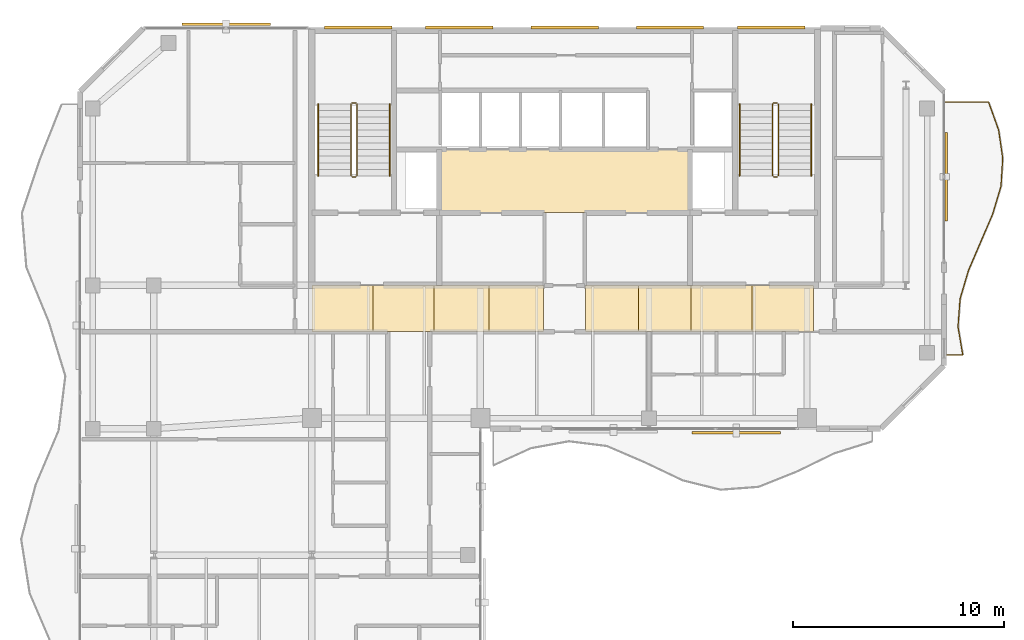
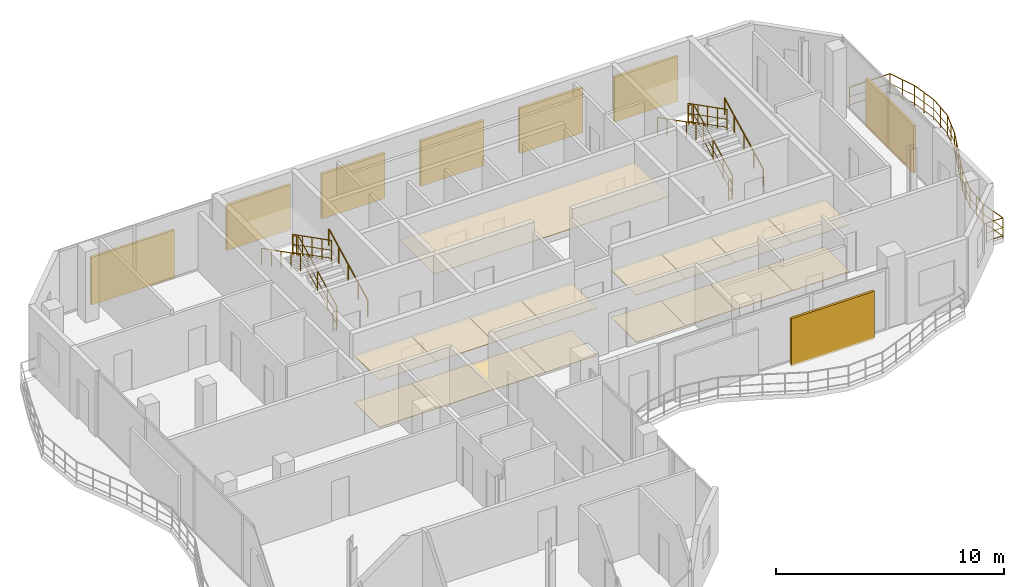
# One storey, part 22 of 22: 17 coverings, 13 railings, 8 shading devices.
"""IFC4 building model written with IfcOpenShell, lengths in metres."""

import ifcopenshell
import ifcopenshell.guid

model = None  # the IFC model being written
_history = None  # IfcOwnerHistory: only IFC2X3 demands one
_inside = {}  # id of a spatial element -> (the spatial element, [elements in it])
_under = {}  # id of a project, library or spatial element -> (it, [spatial elements below it])
_declared = {}  # id of a project -> (the project, [libraries it declares])
_typed = {}  # id of a type object -> (the type object, [elements of that type])
_made_of = {}  # id of a material, layer set ... -> (it, [elements and type objects made of it])


def new_model(schema):
    """Start an empty IFC model of exactly this schema.

    Asked for "IFC4X3", IfcOpenShell would pick the latest addendum, in which some entities
    have other attributes; the version numbers below select the first issue.
    IFC2X3 requires an IfcOwnerHistory on every rooted entity: one is made here for all.
    """
    global model, _history
    if schema == "IFC4X3":
        model = ifcopenshell.file(schema_version=(4, 3, 0, 0))
    else:
        model = ifcopenshell.file(schema=schema)
    _inside.clear()
    _under.clear()
    _declared.clear()
    _typed.clear()
    _made_of.clear()
    _history = None
    if model.schema == "IFC2X3":
        org = make("IfcOrganization", Name="unknown")
        user = make(
            "IfcPersonAndOrganization",
            ThePerson=make("IfcPerson", FamilyName="unknown"),
            TheOrganization=org,
        )
        app = make(
            "IfcApplication",
            ApplicationDeveloper=org,
            Version="unknown",
            ApplicationFullName="unknown",
            ApplicationIdentifier="unknown",
        )
        _history = make(
            "IfcOwnerHistory",
            OwningUser=user,
            OwningApplication=app,
            ChangeAction="ADDED",
            CreationDate=0,
        )
    return model


def make(cls, **values):
    """One entity of the class cls with the attributes given. An attribute that is None is left unset."""
    return model.create_entity(
        cls, **{name: value for name, value in values.items() if value is not None}
    )


def rooted(cls, **values):
    """An entity with a GlobalId (a new one), such as an element, a storey or a relation."""
    return make(cls, GlobalId=ifcopenshell.guid.new(), OwnerHistory=_history, **values)


def si_unit(unit_type, name, prefix=None):
    """IfcSIUnit, for example si_unit("LENGTHUNIT", "METRE", prefix="MILLI")."""
    return make("IfcSIUnit", UnitType=unit_type, Prefix=prefix, Name=name)


def assignment(units):
    """IfcUnitAssignment: the units of a project."""
    return None if units is None else make("IfcUnitAssignment", Units=units)


def point(xyz):
    """IfcCartesianPoint."""
    return None if xyz is None else make("IfcCartesianPoint", Coordinates=xyz)


def direction(xyz):
    """IfcDirection."""
    return None if xyz is None else make("IfcDirection", DirectionRatios=xyz)


def frame(location, z_axis=None, x_axis=None):
    """IfcAxis2Placement3D, a coordinate frame: its origin and axes. An axis left out is left unset."""
    return make(
        "IfcAxis2Placement3D",
        Location=point(location),
        Axis=direction(z_axis),
        RefDirection=direction(x_axis),
    )


def frame_2d(location, x_axis=None):
    """IfcAxis2Placement2D, a coordinate frame in the plane: its origin and x axis."""
    return make(
        "IfcAxis2Placement2D", Location=point(location), RefDirection=direction(x_axis)
    )


def origin():
    """The frame at (0, 0, 0) with its axes left unset."""
    return frame((0.0, 0.0, 0.0))


def origin_2d():
    """The frame at (0, 0) in the plane with its x axis left unset."""
    return frame_2d((0.0, 0.0))


def place(relative_to, where):
    """IfcLocalPlacement: puts the frame where relative to a parent placement (None: the world)."""
    return make(
        "IfcLocalPlacement", PlacementRelTo=relative_to, RelativePlacement=where
    )


def context(
    kind, dimensions, precision=None, world=None, true_north=None, identifier=None
):
    """IfcGeometricRepresentationContext, for example the 3D "Model" context."""
    return make(
        "IfcGeometricRepresentationContext",
        ContextIdentifier=identifier,
        ContextType=kind,
        CoordinateSpaceDimension=dimensions,
        Precision=precision,
        WorldCoordinateSystem=world,
        TrueNorth=true_north,
    )


def subcontext(parent, identifier, kind, view, scale=None):
    """IfcGeometricRepresentationSubContext, for example "Body" below "Model"."""
    return make(
        "IfcGeometricRepresentationSubContext",
        ContextIdentifier=identifier,
        ContextType=kind,
        ParentContext=parent,
        TargetScale=scale,
        TargetView=view,
    )


def project(units=None, contexts=None):
    """IfcProject with its units and contexts."""
    return rooted(
        "IfcProject",
        Name="project",
        RepresentationContexts=contexts,
        UnitsInContext=assignment(units),
    )


def spatial(cls, under=None, at=None, **own):
    """A site, building, storey or space (cls), placed at a placement, below another one or the project."""
    s = rooted(cls, ObjectPlacement=at, **own)
    if under is not None:
        _under.setdefault(under.id(), (under, []))[1].append(s)
    return s


def polyline(points):
    """IfcPolyline through the points."""
    return make("IfcPolyline", Points=[point(p) for p in points])


def profile(cls, at=None, kind="AREA", **sizes):
    """A parametric profile (cls). Its sizes go by their IFC names, for example OverallWidth=200.0."""
    return make(cls, ProfileType=kind, Position=at, **sizes)


def rectangle(**sizes):
    """IfcRectangleProfileDef."""
    return profile("IfcRectangleProfileDef", **sizes)


def circle(**sizes):
    """IfcCircleProfileDef."""
    return profile("IfcCircleProfileDef", **sizes)


def outline(outer, holes=None, kind="AREA"):
    """IfcArbitraryClosedProfileDef: a profile drawn as a closed curve; with holes, ...WithVoids."""
    if holes is None:
        return make("IfcArbitraryClosedProfileDef", ProfileType=kind, OuterCurve=outer)
    return make(
        "IfcArbitraryProfileDefWithVoids",
        ProfileType=kind,
        OuterCurve=outer,
        InnerCurves=holes,
    )


def extrude(swept, where, along, depth):
    """IfcExtrudedAreaSolid: the profile swept, set in the frame where, extruded along a direction by depth."""
    return make(
        "IfcExtrudedAreaSolid",
        SweptArea=swept,
        Position=where,
        ExtrudedDirection=direction(along),
        Depth=depth,
    )


def shape(context_of_items, identifier, shape_type, items):
    """IfcShapeRepresentation: the items that make up one representation, for example the "Body"."""
    return make(
        "IfcShapeRepresentation",
        ContextOfItems=context_of_items,
        RepresentationIdentifier=identifier,
        RepresentationType=shape_type,
        Items=items,
    )


def material(Name=None, Category=None):
    """IfcMaterial."""
    return make("IfcMaterial", Name=Name, Category=Category)


def layer(
    of_material, thickness, ventilated=None, Name=None, Category=None, Priority=None
):
    """IfcMaterialLayer: one layer of a wall or slab, of a material (None: an air gap)."""
    return make(
        "IfcMaterialLayer",
        Material=of_material,
        LayerThickness=thickness,
        IsVentilated=ventilated,
        Name=Name,
        Category=Category,
        Priority=Priority,
    )


def layer_set(layers, Name=None):
    """IfcMaterialLayerSet."""
    return make("IfcMaterialLayerSet", MaterialLayers=layers, LayerSetName=Name)


def made_of(thing, what):
    """Note that an element or type object is made of a material, layer set ...; save() writes the relation."""
    if what is not None:
        _made_of.setdefault(what.id(), (what, []))[1].append(thing)
    return thing


def type_object(cls, material=None, **own):
    """A type object (cls), such as IfcWallType, which elements share."""
    return made_of(rooted(cls, **own), material)


def element(
    cls,
    number,
    at=None,
    inside=None,
    cuts=None,
    type_object=None,
    material=None,
    context=None,
    identifier="Body",
    shape_type=None,
    held_by="IfcProductDefinitionShape",
    body=None,
    shapes=None,
    **own,
):
    """One element of the class cls, such as IfcWall. Its Tag is "e" and its number.

    at: its placement. inside: the storey or other place that contains it. cuts: it is an
    opening in that element (IfcRelVoidsElement). A single representation is given by context,
    identifier, shape_type and body (its items); several are given by shapes. held_by: the class
    of the entity that holds the representations. save() writes the other relations.
    """
    e = rooted(cls, Tag="e%d" % number, ObjectPlacement=at, **own)
    if body is not None:
        shapes = [shape(context, identifier, shape_type, body)]
    if shapes is not None:
        e.Representation = make(held_by, Representations=shapes)
    if inside is not None:
        _inside.setdefault(inside.id(), (inside, []))[1].append(e)
    if cuts is not None:
        rooted(
            "IfcRelVoidsElement", RelatingBuildingElement=cuts, RelatedOpeningElement=e
        )
    if type_object is not None:
        _typed.setdefault(type_object.id(), (type_object, []))[1].append(e)
    return made_of(e, material)


def aggregate(whole, parts):
    """IfcRelAggregates: a whole, such as a stair, and the parts it consists of."""
    return rooted("IfcRelAggregates", RelatingObject=whole, RelatedObjects=parts)


def save(model, path):
    """Write the relations noted so far, then the file.

    IfcRelAggregates (storeys below a building ...), IfcRelContainedInSpatialStructure (elements
    in a storey), IfcRelDefinesByType, IfcRelAssociatesMaterial and IfcRelDeclares: one each for
    every whole, place, type object, material and project.
    """
    for whole, parts in _under.values():
        aggregate(whole, parts)
    for where, things in _inside.values():
        rooted(
            "IfcRelContainedInSpatialStructure",
            RelatedElements=things,
            RelatingStructure=where,
        )
    for kind, things in _typed.values():
        rooted("IfcRelDefinesByType", RelatedObjects=things, RelatingType=kind)
    for what, things in _made_of.values():
        rooted("IfcRelAssociatesMaterial", RelatedObjects=things, RelatingMaterial=what)
    for by, libraries in _declared.values():
        rooted("IfcRelDeclares", RelatingContext=by, RelatedDefinitions=libraries)
    model.write(path)


model = new_model("IFC4")

# Units and contexts
model_context = context("Model", 3, precision=1e-05, world=origin(), true_north=direction((0.0, 1.0)))
body_context = subcontext(model_context, "Body", "Model", "MODEL_VIEW")
ifc_project = project(units=[si_unit("LENGTHUNIT", "METRE"), si_unit("AREAUNIT", "SQUARE_METRE"), si_unit("VOLUMEUNIT", "CUBIC_METRE"), si_unit("PLANEANGLEUNIT", "RADIAN"), si_unit("MASSUNIT", "GRAM", prefix="KILO")], contexts=[model_context])

# Site, building, storey
site_placement = place(None, origin())
site = spatial("IfcSite", under=ifc_project, at=site_placement, CompositionType="ELEMENT")
building_placement = place(site_placement, origin())
building = spatial("IfcBuilding", under=site, at=building_placement, Name="Catumbela Crestline Tower", CompositionType="ELEMENT")
storey_placement = place(building_placement, frame((0.0, 0.0, 256.4)))
storey = spatial("IfcBuildingStorey", under=building, at=storey_placement, Name="L66", CompositionType="ELEMENT", Elevation=256.4)

# Coverings
ifc_material_1 = material(Name="Mineral-fibre acoustic ceiling")
ifc_layer_1 = layer(ifc_material_1, 0.03, Name="Mineral-fibre acoustic ceiling")
ifc_layer_set_1 = layer_set([ifc_layer_1], Name="Mineral-fibre acoustic ceiling")
covering_type_1 = type_object("IfcCoveringType", Name="CC-AC", PredefinedType="CEILING", material=ifc_layer_set_1)
covering_1_placement = place(storey_placement, frame((0.0, 0.0, 2.65)))
element("IfcCovering", 1, at=covering_1_placement, inside=storey, type_object=covering_type_1, Name="L66 Lift Lobby Acoustic Ceiling", PredefinedType="CEILING", context=body_context, shape_type="SweptSolid", body=[
    extrude(outline(polyline([(22.05, 34.25), (33.95, 34.25), (33.95, 37.25), (22.05, 37.25), (22.05, 34.25)])), origin(), (0.0, 0.0, 1.0), 0.03),
])
covering_2_placement = place(storey_placement, frame((0.0, 0.0, 2.52)))
element("IfcCovering", 2, at=covering_2_placement, inside=storey, type_object=covering_type_1, Name="L66 Corridor Acoustic Ceiling Bay 1", PredefinedType="CEILING", context=body_context, shape_type="SweptSolid", body=[
    extrude(outline(polyline([(16.0, 28.6), (18.9, 28.6), (18.9, 30.8), (16.0, 30.8), (16.0, 28.6)])), origin(), (0.0, 0.0, 1.0), 0.03),
])
covering_3_placement = place(storey_placement, frame((0.0, 0.0, 2.52)))
element("IfcCovering", 3, at=covering_3_placement, inside=storey, type_object=covering_type_1, Name="L66 Corridor Acoustic Ceiling Bay 2", PredefinedType="CEILING", context=body_context, shape_type="SweptSolid", body=[
    extrude(outline(polyline([(18.9, 28.6), (21.8, 28.6), (21.8, 30.8), (18.9, 30.8), (18.9, 28.6)])), origin(), (0.0, 0.0, 1.0), 0.03),
])
covering_4_placement = place(storey_placement, frame((0.0, 0.0, 2.52)))
element("IfcCovering", 4, at=covering_4_placement, inside=storey, type_object=covering_type_1, Name="L66 Corridor Acoustic Ceiling Bay 3", PredefinedType="CEILING", context=body_context, shape_type="SweptSolid", body=[
    extrude(outline(polyline([(21.8, 28.6), (24.4, 28.6), (24.4, 30.8), (21.8, 30.8), (21.8, 28.6)])), origin(), (0.0, 0.0, 1.0), 0.03),
])
covering_5_placement = place(storey_placement, frame((0.0, 0.0, 2.52)))
element("IfcCovering", 5, at=covering_5_placement, inside=storey, type_object=covering_type_1, Name="L66 Corridor Acoustic Ceiling Bay 4", PredefinedType="CEILING", context=body_context, shape_type="SweptSolid", body=[
    extrude(outline(polyline([(24.4, 28.6), (27.0, 28.6), (27.0, 30.8), (24.4, 30.8), (24.4, 28.6)])), origin(), (0.0, 0.0, 1.0), 0.03),
])
covering_6_placement = place(storey_placement, frame((0.0, 0.0, 2.52)))
element("IfcCovering", 6, at=covering_6_placement, inside=storey, type_object=covering_type_1, Name="L66 Corridor Acoustic Ceiling Bay 5", PredefinedType="CEILING", context=body_context, shape_type="SweptSolid", body=[
    extrude(outline(polyline([(29.0, 28.6), (31.5, 28.6), (31.5, 30.8), (29.0, 30.8), (29.0, 28.6)])), origin(), (0.0, 0.0, 1.0), 0.03),
])
covering_7_placement = place(storey_placement, frame((0.0, 0.0, 2.52)))
element("IfcCovering", 7, at=covering_7_placement, inside=storey, type_object=covering_type_1, Name="L66 Corridor Acoustic Ceiling Bay 6", PredefinedType="CEILING", context=body_context, shape_type="SweptSolid", body=[
    extrude(outline(polyline([(31.5, 28.6), (34.0, 28.6), (34.0, 30.8), (31.5, 30.8), (31.5, 28.6)])), origin(), (0.0, 0.0, 1.0), 0.03),
])
covering_8_placement = place(storey_placement, frame((0.0, 0.0, 2.52)))
element("IfcCovering", 8, at=covering_8_placement, inside=storey, type_object=covering_type_1, Name="L66 Corridor Acoustic Ceiling Bay 7", PredefinedType="CEILING", context=body_context, shape_type="SweptSolid", body=[
    extrude(outline(polyline([(34.0, 28.6), (36.9, 28.6), (36.9, 30.8), (34.0, 30.8), (34.0, 28.6)])), origin(), (0.0, 0.0, 1.0), 0.03),
])
covering_9_placement = place(storey_placement, frame((0.0, 0.0, 2.52)))
element("IfcCovering", 9, at=covering_9_placement, inside=storey, type_object=covering_type_1, Name="L66 Corridor Acoustic Ceiling Bay 8", PredefinedType="CEILING", context=body_context, shape_type="SweptSolid", body=[
    extrude(outline(polyline([(36.9, 28.6), (39.8, 28.6), (39.8, 30.8), (36.9, 30.8), (36.9, 28.6)])), origin(), (0.0, 0.0, 1.0), 0.03),
])
ifc_material_2 = material(Name="Angolan grey-ochre granite", Category="masonry")
ifc_layer_2 = layer(ifc_material_2, 0.025, Name="Angolan grey-ochre granite")
ifc_layer_set_2 = layer_set([ifc_layer_2], Name="Angolan grey-ochre granite")
covering_type_2 = type_object("IfcCoveringType", Name="CF-GR", PredefinedType="FLOORING", material=ifc_layer_set_2)
covering_10_placement = place(storey_placement, origin())
element("IfcCovering", 10, at=covering_10_placement, inside=storey, type_object=covering_type_2, Name="L66 Corridor Granite Flooring Bay 1", PredefinedType="FLOORING", context=body_context, shape_type="SweptSolid", body=[
    extrude(outline(polyline([(16.0, 28.6), (18.9, 28.6), (18.9, 30.8), (16.0, 30.8), (16.0, 28.6)])), origin(), (0.0, 0.0, 1.0), 0.025),
])
covering_11_placement = place(storey_placement, origin())
element("IfcCovering", 11, at=covering_11_placement, inside=storey, type_object=covering_type_2, Name="L66 Corridor Granite Flooring Bay 2", PredefinedType="FLOORING", context=body_context, shape_type="SweptSolid", body=[
    extrude(outline(polyline([(18.9, 28.6), (21.8, 28.6), (21.8, 30.8), (18.9, 30.8), (18.9, 28.6)])), origin(), (0.0, 0.0, 1.0), 0.025),
])
covering_12_placement = place(storey_placement, origin())
element("IfcCovering", 12, at=covering_12_placement, inside=storey, type_object=covering_type_2, Name="L66 Corridor Granite Flooring Bay 3", PredefinedType="FLOORING", context=body_context, shape_type="SweptSolid", body=[
    extrude(outline(polyline([(21.8, 28.6), (24.4, 28.6), (24.4, 30.8), (21.8, 30.8), (21.8, 28.6)])), origin(), (0.0, 0.0, 1.0), 0.025),
])
covering_13_placement = place(storey_placement, origin())
element("IfcCovering", 13, at=covering_13_placement, inside=storey, type_object=covering_type_2, Name="L66 Corridor Granite Flooring Bay 4", PredefinedType="FLOORING", context=body_context, shape_type="SweptSolid", body=[
    extrude(outline(polyline([(24.4, 28.6), (27.0, 28.6), (27.0, 30.8), (24.4, 30.8), (24.4, 28.6)])), origin(), (0.0, 0.0, 1.0), 0.025),
])
covering_14_placement = place(storey_placement, origin())
element("IfcCovering", 14, at=covering_14_placement, inside=storey, type_object=covering_type_2, Name="L66 Corridor Granite Flooring Bay 5", PredefinedType="FLOORING", context=body_context, shape_type="SweptSolid", body=[
    extrude(outline(polyline([(29.0, 28.6), (31.5, 28.6), (31.5, 30.8), (29.0, 30.8), (29.0, 28.6)])), origin(), (0.0, 0.0, 1.0), 0.025),
])
covering_15_placement = place(storey_placement, origin())
element("IfcCovering", 15, at=covering_15_placement, inside=storey, type_object=covering_type_2, Name="L66 Corridor Granite Flooring Bay 6", PredefinedType="FLOORING", context=body_context, shape_type="SweptSolid", body=[
    extrude(outline(polyline([(31.5, 28.6), (34.0, 28.6), (34.0, 30.8), (31.5, 30.8), (31.5, 28.6)])), origin(), (0.0, 0.0, 1.0), 0.025),
])
covering_16_placement = place(storey_placement, origin())
element("IfcCovering", 16, at=covering_16_placement, inside=storey, type_object=covering_type_2, Name="L66 Corridor Granite Flooring Bay 7", PredefinedType="FLOORING", context=body_context, shape_type="SweptSolid", body=[
    extrude(outline(polyline([(34.0, 28.6), (36.9, 28.6), (36.9, 30.8), (34.0, 30.8), (34.0, 28.6)])), origin(), (0.0, 0.0, 1.0), 0.025),
])
covering_17_placement = place(storey_placement, origin())
element("IfcCovering", 17, at=covering_17_placement, inside=storey, type_object=covering_type_2, Name="L66 Corridor Granite Flooring Bay 8", PredefinedType="FLOORING", context=body_context, shape_type="SweptSolid", body=[
    extrude(outline(polyline([(36.9, 28.6), (39.8, 28.6), (39.8, 30.8), (36.9, 30.8), (36.9, 28.6)])), origin(), (0.0, 0.0, 1.0), 0.025),
])

# Railings
ifc_material_3 = material(Name="Stainless steel EN 1.4401", Category="steel")
railing_type_1 = type_object("IfcRailingType", Name="RB-1100", PredefinedType="BALUSTRADE", material=ifc_material_3)
railing_1_placement = place(storey_placement, frame((46.06, 27.5, 0.0)))
element("IfcRailing", 18, at=railing_1_placement, inside=storey, type_object=railing_type_1, Name="L66 Private Wave Balcony Balustrade 2", PredefinedType="BALUSTRADE", context=body_context, shape_type="SweptSolid", body=[
    extrude(circle(Radius=0.024, at=origin_2d()), frame((0.0, 0.0, 1.076), z_axis=(1.0, 0.0, 0.0), x_axis=(0.0, 1.0, 0.0)), (0.0, 0.0, 1.0), 0.834),
    extrude(circle(Radius=0.0156, at=origin_2d()), frame((0.0, 0.0, 0.55), z_axis=(1.0, 0.0, 0.0), x_axis=(0.0, 1.0, 0.0)), (0.0, 0.0, 1.0), 0.834),
    extrude(circle(Radius=0.0156, at=origin_2d()), frame((0.0, 0.0, 0.12), z_axis=(1.0, 0.0, 0.0), x_axis=(0.0, 1.0, 0.0)), (0.0, 0.0, 1.0), 0.834),
    extrude(circle(Radius=0.024, at=origin_2d()), frame((0.834, 0.0, 1.076), z_axis=(-0.167982802936, 0.985789925855, 0.0), x_axis=(-0.985789925855, -0.167982802936, 0.0)), (0.0, 0.0, 1.0), 1.3525),
    extrude(circle(Radius=0.0156, at=origin_2d()), frame((0.834, 0.0, 0.55), z_axis=(-0.167982802936, 0.985789925855, 0.0), x_axis=(-0.985789925855, -0.167982802936, 0.0)), (0.0, 0.0, 1.0), 1.3525),
    extrude(circle(Radius=0.0156, at=origin_2d()), frame((0.834, 0.0, 0.12), z_axis=(-0.167982802936, 0.985789925855, 0.0), x_axis=(-0.985789925855, -0.167982802936, 0.0)), (0.0, 0.0, 1.0), 1.3525),
    extrude(circle(Radius=0.024, at=origin_2d()), frame((0.6068, 1.3333, 1.076), z_axis=(0.07396810715, 0.997260607426, 0.0), x_axis=(-0.997260607426, 0.07396810715, 0.0)), (0.0, 0.0, 1.0), 1.3371),
    extrude(circle(Radius=0.0156, at=origin_2d()), frame((0.6068, 1.3333, 0.55), z_axis=(0.07396810715, 0.997260607426, 0.0), x_axis=(-0.997260607426, 0.07396810715, 0.0)), (0.0, 0.0, 1.0), 1.3371),
    extrude(circle(Radius=0.0156, at=origin_2d()), frame((0.6068, 1.3333, 0.12), z_axis=(0.07396810715, 0.997260607426, 0.0), x_axis=(-0.997260607426, 0.07396810715, 0.0)), (0.0, 0.0, 1.0), 1.3371),
    extrude(circle(Radius=0.024, at=origin_2d()), frame((0.7057, 2.6667, 1.076), z_axis=(0.284120158971, 0.958788681236, 0.0), x_axis=(-0.958788681236, 0.284120158971, 0.0)), (0.0, 0.0, 1.0), 1.3906),
    extrude(circle(Radius=0.0156, at=origin_2d()), frame((0.7057, 2.6667, 0.55), z_axis=(0.284120158971, 0.958788681236, 0.0), x_axis=(-0.958788681236, 0.284120158971, 0.0)), (0.0, 0.0, 1.0), 1.3906),
    extrude(circle(Radius=0.0156, at=origin_2d()), frame((0.7057, 2.6667, 0.12), z_axis=(0.284120158971, 0.958788681236, 0.0), x_axis=(-0.958788681236, 0.284120158971, 0.0)), (0.0, 0.0, 1.0), 1.3906),
    extrude(circle(Radius=0.024, at=origin_2d()), frame((1.1008, 4.0, 1.076), z_axis=(0.393677976262, 0.919248416374, 0.0), x_axis=(-0.919248416374, 0.393677976262, 0.0)), (0.0, 0.0, 1.0), 1.4504),
    extrude(circle(Radius=0.0156, at=origin_2d()), frame((1.1008, 4.0, 0.55), z_axis=(0.393677976262, 0.919248416374, 0.0), x_axis=(-0.919248416374, 0.393677976262, 0.0)), (0.0, 0.0, 1.0), 1.4504),
    extrude(circle(Radius=0.0156, at=origin_2d()), frame((1.1008, 4.0, 0.12), z_axis=(0.393677976262, 0.919248416374, 0.0), x_axis=(-0.919248416374, 0.393677976262, 0.0)), (0.0, 0.0, 1.0), 1.4504),
    extrude(circle(Radius=0.024, at=origin_2d()), frame((1.6718, 5.3333, 1.076), z_axis=(0.395166123787, 0.918609674786, 0.0), x_axis=(-0.918609674786, 0.395166123787, 0.0)), (0.0, 0.0, 1.0), 1.4515),
    extrude(circle(Radius=0.0156, at=origin_2d()), frame((1.6718, 5.3333, 0.55), z_axis=(0.395166123787, 0.918609674786, 0.0), x_axis=(-0.918609674786, 0.395166123787, 0.0)), (0.0, 0.0, 1.0), 1.4515),
    extrude(circle(Radius=0.0156, at=origin_2d()), frame((1.6718, 5.3333, 0.12), z_axis=(0.395166123787, 0.918609674786, 0.0), x_axis=(-0.918609674786, 0.395166123787, 0.0)), (0.0, 0.0, 1.0), 1.4515),
    extrude(circle(Radius=0.024, at=origin_2d()), frame((2.2454, 6.6667, 1.076), z_axis=(0.288474300186, 0.957487638631, 0.0), x_axis=(-0.957487638631, 0.288474300186, 0.0)), (0.0, 0.0, 1.0), 1.3925),
    extrude(circle(Radius=0.0156, at=origin_2d()), frame((2.2454, 6.6667, 0.55), z_axis=(0.288474300186, 0.957487638631, 0.0), x_axis=(-0.957487638631, 0.288474300186, 0.0)), (0.0, 0.0, 1.0), 1.3925),
    extrude(circle(Radius=0.0156, at=origin_2d()), frame((2.2454, 6.6667, 0.12), z_axis=(0.288474300186, 0.957487638631, 0.0), x_axis=(-0.957487638631, 0.288474300186, 0.0)), (0.0, 0.0, 1.0), 1.3925),
    extrude(circle(Radius=0.024, at=origin_2d()), frame((2.6471, 8.0, 1.076), z_axis=(0.06205671685, 0.998072624559, 0.0), x_axis=(-0.998072624559, 0.06205671685, 0.0)), (0.0, 0.0, 1.0), 1.3359),
    extrude(circle(Radius=0.0156, at=origin_2d()), frame((2.6471, 8.0, 0.55), z_axis=(0.06205671685, 0.998072624559, 0.0), x_axis=(-0.998072624559, 0.06205671685, 0.0)), (0.0, 0.0, 1.0), 1.3359),
    extrude(circle(Radius=0.0156, at=origin_2d()), frame((2.6471, 8.0, 0.12), z_axis=(0.06205671685, 0.998072624559, 0.0), x_axis=(-0.998072624559, 0.06205671685, 0.0)), (0.0, 0.0, 1.0), 1.3359),
    extrude(circle(Radius=0.024, at=origin_2d()), frame((2.73, 9.3333, 1.076), z_axis=(-0.143904167324, 0.989591628212, 0.0), x_axis=(-0.989591628212, -0.143904167324, 0.0)), (0.0, 0.0, 1.0), 1.3474),
    extrude(circle(Radius=0.0156, at=origin_2d()), frame((2.73, 9.3333, 0.55), z_axis=(-0.143904167324, 0.989591628212, 0.0), x_axis=(-0.989591628212, -0.143904167324, 0.0)), (0.0, 0.0, 1.0), 1.3474),
    extrude(circle(Radius=0.0156, at=origin_2d()), frame((2.73, 9.3333, 0.12), z_axis=(-0.143904167324, 0.989591628212, 0.0), x_axis=(-0.989591628212, -0.143904167324, 0.0)), (0.0, 0.0, 1.0), 1.3474),
    extrude(circle(Radius=0.024, at=origin_2d()), frame((2.5361, 10.6667, 1.076), z_axis=(-0.338102026778, 0.941109462012, 0.0), x_axis=(-0.941109462012, -0.338102026778, 0.0)), (0.0, 0.0, 1.0), 1.4167),
    extrude(circle(Radius=0.0156, at=origin_2d()), frame((2.5361, 10.6667, 0.55), z_axis=(-0.338102026778, 0.941109462012, 0.0), x_axis=(-0.941109462012, -0.338102026778, 0.0)), (0.0, 0.0, 1.0), 1.4167),
    extrude(circle(Radius=0.0156, at=origin_2d()), frame((2.5361, 10.6667, 0.12), z_axis=(-0.338102026778, 0.941109462012, 0.0), x_axis=(-0.941109462012, -0.338102026778, 0.0)), (0.0, 0.0, 1.0), 1.4167),
    extrude(circle(Radius=0.024, at=origin_2d()), frame((2.0571, 12.0, 1.076), z_axis=(-1.0, 0.0, 0.0), x_axis=(0.0, -1.0, 0.0)), (0.0, 0.0, 1.0), 2.0571),
    extrude(circle(Radius=0.0156, at=origin_2d()), frame((2.0571, 12.0, 0.55), z_axis=(-1.0, 0.0, 0.0), x_axis=(0.0, -1.0, 0.0)), (0.0, 0.0, 1.0), 2.0571),
    extrude(circle(Radius=0.0156, at=origin_2d()), frame((2.0571, 12.0, 0.12), z_axis=(-1.0, 0.0, 0.0), x_axis=(0.0, -1.0, 0.0)), (0.0, 0.0, 1.0), 2.0571),
    extrude(circle(Radius=0.021, at=origin_2d()), origin(), (0.0, 0.0, 1.0), 1.052),
    extrude(circle(Radius=0.021, at=origin_2d()), frame((0.834, 0.0, 0.0)), (0.0, 0.0, 1.0), 1.052),
    extrude(circle(Radius=0.021, at=origin_2d()), frame((0.7204, 0.6667, 0.0)), (0.0, 0.0, 1.0), 1.052),
    extrude(circle(Radius=0.021, at=origin_2d()), frame((0.6068, 1.3333, 0.0)), (0.0, 0.0, 1.0), 1.052),
    extrude(circle(Radius=0.021, at=origin_2d()), frame((0.6562, 2.0, 0.0)), (0.0, 0.0, 1.0), 1.052),
    extrude(circle(Radius=0.021, at=origin_2d()), frame((0.7057, 2.6667, 0.0)), (0.0, 0.0, 1.0), 1.052),
    extrude(circle(Radius=0.021, at=origin_2d()), frame((0.9032, 3.3333, 0.0)), (0.0, 0.0, 1.0), 1.052),
    extrude(circle(Radius=0.021, at=origin_2d()), frame((1.1008, 4.0, 0.0)), (0.0, 0.0, 1.0), 1.052),
    extrude(circle(Radius=0.021, at=origin_2d()), frame((1.3863, 4.6667, 0.0)), (0.0, 0.0, 1.0), 1.052),
    extrude(circle(Radius=0.021, at=origin_2d()), frame((1.6718, 5.3333, 0.0)), (0.0, 0.0, 1.0), 1.052),
    extrude(circle(Radius=0.021, at=origin_2d()), frame((1.9586, 6.0, 0.0)), (0.0, 0.0, 1.0), 1.052),
    extrude(circle(Radius=0.021, at=origin_2d()), frame((2.2454, 6.6667, 0.0)), (0.0, 0.0, 1.0), 1.052),
    extrude(circle(Radius=0.021, at=origin_2d()), frame((2.4462, 7.3334, 0.0)), (0.0, 0.0, 1.0), 1.052),
    extrude(circle(Radius=0.021, at=origin_2d()), frame((2.6471, 8.0, 0.0)), (0.0, 0.0, 1.0), 1.052),
    extrude(circle(Radius=0.021, at=origin_2d()), frame((2.6885, 8.6666, 0.0)), (0.0, 0.0, 1.0), 1.052),
    extrude(circle(Radius=0.021, at=origin_2d()), frame((2.73, 9.3333, 0.0)), (0.0, 0.0, 1.0), 1.052),
    extrude(circle(Radius=0.021, at=origin_2d()), frame((2.633, 10.0, 0.0)), (0.0, 0.0, 1.0), 1.052),
    extrude(circle(Radius=0.021, at=origin_2d()), frame((2.5361, 10.6667, 0.0)), (0.0, 0.0, 1.0), 1.052),
    extrude(circle(Radius=0.021, at=origin_2d()), frame((2.2966, 11.3334, 0.0)), (0.0, 0.0, 1.0), 1.052),
    extrude(circle(Radius=0.021, at=origin_2d()), frame((2.0571, 12.0, 0.0)), (0.0, 0.0, 1.0), 1.052),
    extrude(circle(Radius=0.021, at=origin_2d()), frame((1.0285, 12.0, 0.0)), (0.0, 0.0, 1.0), 1.052),
    extrude(circle(Radius=0.021, at=origin_2d()), frame((0.0, 12.0, 0.0)), (0.0, 0.0, 1.0), 1.052),
])
railing_type_2 = type_object("IfcRailingType", Name="RG-1100", PredefinedType="GUARDRAIL", material=ifc_material_3)
railing_2_placement = place(storey_placement, frame((18.14, 36.0, 0.1583)))
element("IfcRailing", 19, at=railing_2_placement, inside=storey, type_object=railing_type_2, Name="L66 ST-01 stair guard 1", PredefinedType="GUARDRAIL", context=body_context, shape_type="SweptSolid", body=[
    extrude(circle(Radius=0.024, at=origin_2d()), frame((0.0, 0.0, 1.076), z_axis=(0.0, 0.890560473983, 0.454864861447), x_axis=(-1.0, 0.0, 0.0)), (0.0, 0.0, 1.0), 3.829),
    extrude(circle(Radius=0.0156, at=origin_2d()), frame((0.0, 0.0, 0.55), z_axis=(0.0, 0.890560473983, 0.454864861447), x_axis=(-1.0, 0.0, 0.0)), (0.0, 0.0, 1.0), 3.829),
    extrude(circle(Radius=0.0156, at=origin_2d()), frame((0.0, 0.0, 0.12), z_axis=(0.0, 0.890560473983, 0.454864861447), x_axis=(-1.0, 0.0, 0.0)), (0.0, 0.0, 1.0), 3.829),
    extrude(circle(Radius=0.021, at=origin_2d()), origin(), (0.0, 0.0, 1.0), 1.052),
    extrude(circle(Radius=0.021, at=origin_2d()), frame((0.0, 0.8525, 0.4354)), (0.0, 0.0, 1.0), 1.052),
    extrude(circle(Radius=0.021, at=origin_2d()), frame((0.0, 1.705, 0.8709)), (0.0, 0.0, 1.0), 1.052),
    extrude(circle(Radius=0.021, at=origin_2d()), frame((0.0, 2.5575, 1.3063)), (0.0, 0.0, 1.0), 1.052),
    extrude(circle(Radius=0.021, at=origin_2d()), frame((0.0, 3.41, 1.7417)), (0.0, 0.0, 1.0), 1.052),
])
railing_3_placement = place(storey_placement, frame((18.09, 39.46, 1.9)))
element("IfcRailing", 20, at=railing_3_placement, inside=storey, type_object=railing_type_2, Name="L66 ST-01 stair guard 2", PredefinedType="GUARDRAIL", context=body_context, shape_type="SweptSolid", body=[
    extrude(circle(Radius=0.024, at=origin_2d()), frame((0.0, 0.0, 1.076), z_axis=(-1.0, 0.0, 0.0), x_axis=(0.0, -1.0, 0.0)), (0.0, 0.0, 1.0), 0.18),
    extrude(circle(Radius=0.0156, at=origin_2d()), frame((0.0, 0.0, 0.55), z_axis=(-1.0, 0.0, 0.0), x_axis=(0.0, -1.0, 0.0)), (0.0, 0.0, 1.0), 0.18),
    extrude(circle(Radius=0.0156, at=origin_2d()), frame((0.0, 0.0, 0.12), z_axis=(-1.0, 0.0, 0.0), x_axis=(0.0, -1.0, 0.0)), (0.0, 0.0, 1.0), 0.18),
    extrude(circle(Radius=0.021, at=origin_2d()), origin(), (0.0, 0.0, 1.0), 1.052),
    extrude(circle(Radius=0.021, at=origin_2d()), frame((-0.18, 0.0, 0.0)), (0.0, 0.0, 1.0), 1.052),
])
railing_4_placement = place(storey_placement, frame((17.86, 39.41, 2.0583)))
element("IfcRailing", 21, at=railing_4_placement, inside=storey, type_object=railing_type_2, Name="L66 ST-01 stair guard 3", PredefinedType="GUARDRAIL", context=body_context, shape_type="SweptSolid", body=[
    extrude(circle(Radius=0.024, at=origin_2d()), frame((0.0, 0.0, 1.076), z_axis=(0.0, -0.890560473983, 0.454864861447), x_axis=(1.0, 0.0, 0.0)), (0.0, 0.0, 1.0), 3.829),
    extrude(circle(Radius=0.0156, at=origin_2d()), frame((0.0, 0.0, 0.55), z_axis=(0.0, -0.890560473983, 0.454864861447), x_axis=(1.0, 0.0, 0.0)), (0.0, 0.0, 1.0), 3.829),
    extrude(circle(Radius=0.0156, at=origin_2d()), frame((0.0, 0.0, 0.12), z_axis=(0.0, -0.890560473983, 0.454864861447), x_axis=(1.0, 0.0, 0.0)), (0.0, 0.0, 1.0), 3.829),
    extrude(circle(Radius=0.021, at=origin_2d()), origin(), (0.0, 0.0, 1.0), 1.052),
    extrude(circle(Radius=0.021, at=origin_2d()), frame((0.0, -0.8525, 0.4354)), (0.0, 0.0, 1.0), 1.052),
    extrude(circle(Radius=0.021, at=origin_2d()), frame((0.0, -1.705, 0.8708)), (0.0, 0.0, 1.0), 1.052),
    extrude(circle(Radius=0.021, at=origin_2d()), frame((0.0, -2.5575, 1.3063)), (0.0, 0.0, 1.0), 1.052),
    extrude(circle(Radius=0.021, at=origin_2d()), frame((0.0, -3.41, 1.7417)), (0.0, 0.0, 1.0), 1.052),
])
railing_5_placement = place(storey_placement, frame((18.09, 35.95, 0.0)))
element("IfcRailing", 22, at=railing_5_placement, inside=storey, type_object=railing_type_2, Name="L66 ST-01 stair guard 4", PredefinedType="GUARDRAIL", context=body_context, shape_type="SweptSolid", body=[
    extrude(circle(Radius=0.024, at=origin_2d()), frame((0.0, 0.0, 1.076), z_axis=(-1.0, 0.0, 0.0), x_axis=(0.0, -1.0, 0.0)), (0.0, 0.0, 1.0), 0.18),
    extrude(circle(Radius=0.0156, at=origin_2d()), frame((0.0, 0.0, 0.55), z_axis=(-1.0, 0.0, 0.0), x_axis=(0.0, -1.0, 0.0)), (0.0, 0.0, 1.0), 0.18),
    extrude(circle(Radius=0.0156, at=origin_2d()), frame((0.0, 0.0, 0.12), z_axis=(-1.0, 0.0, 0.0), x_axis=(0.0, -1.0, 0.0)), (0.0, 0.0, 1.0), 0.18),
    extrude(circle(Radius=0.021, at=origin_2d()), origin(), (0.0, 0.0, 1.0), 1.052),
    extrude(circle(Radius=0.021, at=origin_2d()), frame((-0.18, 0.0, 0.0)), (0.0, 0.0, 1.0), 1.052),
])
railing_6_placement = place(storey_placement, frame((38.14, 36.0, 0.1583)))
element("IfcRailing", 23, at=railing_6_placement, inside=storey, type_object=railing_type_2, Name="L66 ST-02 stair guard 1", PredefinedType="GUARDRAIL", context=body_context, shape_type="SweptSolid", body=[
    extrude(circle(Radius=0.024, at=origin_2d()), frame((0.0, 0.0, 1.076), z_axis=(0.0, 0.890560473983, 0.454864861447), x_axis=(-1.0, 0.0, 0.0)), (0.0, 0.0, 1.0), 3.829),
    extrude(circle(Radius=0.0156, at=origin_2d()), frame((0.0, 0.0, 0.55), z_axis=(0.0, 0.890560473983, 0.454864861447), x_axis=(-1.0, 0.0, 0.0)), (0.0, 0.0, 1.0), 3.829),
    extrude(circle(Radius=0.0156, at=origin_2d()), frame((0.0, 0.0, 0.12), z_axis=(0.0, 0.890560473983, 0.454864861447), x_axis=(-1.0, 0.0, 0.0)), (0.0, 0.0, 1.0), 3.829),
    extrude(circle(Radius=0.021, at=origin_2d()), origin(), (0.0, 0.0, 1.0), 1.052),
    extrude(circle(Radius=0.021, at=origin_2d()), frame((0.0, 0.8525, 0.4354)), (0.0, 0.0, 1.0), 1.052),
    extrude(circle(Radius=0.021, at=origin_2d()), frame((0.0, 1.705, 0.8709)), (0.0, 0.0, 1.0), 1.052),
    extrude(circle(Radius=0.021, at=origin_2d()), frame((0.0, 2.5575, 1.3063)), (0.0, 0.0, 1.0), 1.052),
    extrude(circle(Radius=0.021, at=origin_2d()), frame((0.0, 3.41, 1.7417)), (0.0, 0.0, 1.0), 1.052),
])
railing_7_placement = place(storey_placement, frame((38.09, 39.46, 1.9)))
element("IfcRailing", 24, at=railing_7_placement, inside=storey, type_object=railing_type_2, Name="L66 ST-02 stair guard 2", PredefinedType="GUARDRAIL", context=body_context, shape_type="SweptSolid", body=[
    extrude(circle(Radius=0.024, at=origin_2d()), frame((0.0, 0.0, 1.076), z_axis=(-1.0, 0.0, 0.0), x_axis=(0.0, -1.0, 0.0)), (0.0, 0.0, 1.0), 0.18),
    extrude(circle(Radius=0.0156, at=origin_2d()), frame((0.0, 0.0, 0.55), z_axis=(-1.0, 0.0, 0.0), x_axis=(0.0, -1.0, 0.0)), (0.0, 0.0, 1.0), 0.18),
    extrude(circle(Radius=0.0156, at=origin_2d()), frame((0.0, 0.0, 0.12), z_axis=(-1.0, 0.0, 0.0), x_axis=(0.0, -1.0, 0.0)), (0.0, 0.0, 1.0), 0.18),
    extrude(circle(Radius=0.021, at=origin_2d()), origin(), (0.0, 0.0, 1.0), 1.052),
    extrude(circle(Radius=0.021, at=origin_2d()), frame((-0.18, 0.0, 0.0)), (0.0, 0.0, 1.0), 1.052),
])
railing_8_placement = place(storey_placement, frame((37.86, 39.41, 2.0583)))
element("IfcRailing", 25, at=railing_8_placement, inside=storey, type_object=railing_type_2, Name="L66 ST-02 stair guard 3", PredefinedType="GUARDRAIL", context=body_context, shape_type="SweptSolid", body=[
    extrude(circle(Radius=0.024, at=origin_2d()), frame((0.0, 0.0, 1.076), z_axis=(0.0, -0.890560473983, 0.454864861447), x_axis=(1.0, 0.0, 0.0)), (0.0, 0.0, 1.0), 3.829),
    extrude(circle(Radius=0.0156, at=origin_2d()), frame((0.0, 0.0, 0.55), z_axis=(0.0, -0.890560473983, 0.454864861447), x_axis=(1.0, 0.0, 0.0)), (0.0, 0.0, 1.0), 3.829),
    extrude(circle(Radius=0.0156, at=origin_2d()), frame((0.0, 0.0, 0.12), z_axis=(0.0, -0.890560473983, 0.454864861447), x_axis=(1.0, 0.0, 0.0)), (0.0, 0.0, 1.0), 3.829),
    extrude(circle(Radius=0.021, at=origin_2d()), origin(), (0.0, 0.0, 1.0), 1.052),
    extrude(circle(Radius=0.021, at=origin_2d()), frame((0.0, -0.8525, 0.4354)), (0.0, 0.0, 1.0), 1.052),
    extrude(circle(Radius=0.021, at=origin_2d()), frame((0.0, -1.705, 0.8708)), (0.0, 0.0, 1.0), 1.052),
    extrude(circle(Radius=0.021, at=origin_2d()), frame((0.0, -2.5575, 1.3063)), (0.0, 0.0, 1.0), 1.052),
    extrude(circle(Radius=0.021, at=origin_2d()), frame((0.0, -3.41, 1.7417)), (0.0, 0.0, 1.0), 1.052),
])
railing_9_placement = place(storey_placement, frame((38.09, 35.95, 0.0)))
element("IfcRailing", 26, at=railing_9_placement, inside=storey, type_object=railing_type_2, Name="L66 ST-02 stair guard 4", PredefinedType="GUARDRAIL", context=body_context, shape_type="SweptSolid", body=[
    extrude(circle(Radius=0.024, at=origin_2d()), frame((0.0, 0.0, 1.076), z_axis=(-1.0, 0.0, 0.0), x_axis=(0.0, -1.0, 0.0)), (0.0, 0.0, 1.0), 0.18),
    extrude(circle(Radius=0.0156, at=origin_2d()), frame((0.0, 0.0, 0.55), z_axis=(-1.0, 0.0, 0.0), x_axis=(0.0, -1.0, 0.0)), (0.0, 0.0, 1.0), 0.18),
    extrude(circle(Radius=0.0156, at=origin_2d()), frame((0.0, 0.0, 0.12), z_axis=(-1.0, 0.0, 0.0), x_axis=(0.0, -1.0, 0.0)), (0.0, 0.0, 1.0), 0.18),
    extrude(circle(Radius=0.021, at=origin_2d()), origin(), (0.0, 0.0, 1.0), 1.052),
    extrude(circle(Radius=0.021, at=origin_2d()), frame((-0.18, 0.0, 0.0)), (0.0, 0.0, 1.0), 1.052),
])
railing_type_3 = type_object("IfcRailingType", Name="RH-0900", PredefinedType="HANDRAIL", material=ifc_material_3)
railing_10_placement = place(storey_placement, frame((19.7, 36.0, 0.1583)))
element("IfcRailing", 27, at=railing_10_placement, inside=storey, type_object=railing_type_3, Name="L66 ST-01 stair handrail 1", PredefinedType="HANDRAIL", context=body_context, shape_type="SweptSolid", body=[
    extrude(circle(Radius=0.024, at=origin_2d()), frame((0.0, 0.0, 0.876), z_axis=(0.0, 0.890560473983, 0.454864861447), x_axis=(-1.0, 0.0, 0.0)), (0.0, 0.0, 1.0), 3.829),
    extrude(circle(Radius=0.021, at=origin_2d()), origin(), (0.0, 0.0, 1.0), 0.852),
    extrude(circle(Radius=0.021, at=origin_2d()), frame((0.0, 0.8525, 0.4354)), (0.0, 0.0, 1.0), 0.852),
    extrude(circle(Radius=0.021, at=origin_2d()), frame((0.0, 1.705, 0.8709)), (0.0, 0.0, 1.0), 0.852),
    extrude(circle(Radius=0.021, at=origin_2d()), frame((0.0, 2.5575, 1.3063)), (0.0, 0.0, 1.0), 0.852),
    extrude(circle(Radius=0.021, at=origin_2d()), frame((0.0, 3.41, 1.7417)), (0.0, 0.0, 1.0), 0.852),
])
railing_11_placement = place(storey_placement, frame((16.3, 39.41, 2.0583)))
element("IfcRailing", 28, at=railing_11_placement, inside=storey, type_object=railing_type_3, Name="L66 ST-01 stair handrail 2", PredefinedType="HANDRAIL", context=body_context, shape_type="SweptSolid", body=[
    extrude(circle(Radius=0.024, at=origin_2d()), frame((0.0, 0.0, 0.876), z_axis=(0.0, -0.890560473983, 0.454864861447), x_axis=(1.0, 0.0, 0.0)), (0.0, 0.0, 1.0), 3.829),
    extrude(circle(Radius=0.021, at=origin_2d()), origin(), (0.0, 0.0, 1.0), 0.852),
    extrude(circle(Radius=0.021, at=origin_2d()), frame((0.0, -0.8525, 0.4354)), (0.0, 0.0, 1.0), 0.852),
    extrude(circle(Radius=0.021, at=origin_2d()), frame((0.0, -1.705, 0.8708)), (0.0, 0.0, 1.0), 0.852),
    extrude(circle(Radius=0.021, at=origin_2d()), frame((0.0, -2.5575, 1.3063)), (0.0, 0.0, 1.0), 0.852),
    extrude(circle(Radius=0.021, at=origin_2d()), frame((0.0, -3.41, 1.7417)), (0.0, 0.0, 1.0), 0.852),
])
railing_12_placement = place(storey_placement, frame((39.7, 36.0, 0.1583)))
element("IfcRailing", 29, at=railing_12_placement, inside=storey, type_object=railing_type_3, Name="L66 ST-02 stair handrail 1", PredefinedType="HANDRAIL", context=body_context, shape_type="SweptSolid", body=[
    extrude(circle(Radius=0.024, at=origin_2d()), frame((0.0, 0.0, 0.876), z_axis=(0.0, 0.890560473983, 0.454864861447), x_axis=(-1.0, 0.0, 0.0)), (0.0, 0.0, 1.0), 3.829),
    extrude(circle(Radius=0.021, at=origin_2d()), origin(), (0.0, 0.0, 1.0), 0.852),
    extrude(circle(Radius=0.021, at=origin_2d()), frame((0.0, 0.8525, 0.4354)), (0.0, 0.0, 1.0), 0.852),
    extrude(circle(Radius=0.021, at=origin_2d()), frame((0.0, 1.705, 0.8709)), (0.0, 0.0, 1.0), 0.852),
    extrude(circle(Radius=0.021, at=origin_2d()), frame((0.0, 2.5575, 1.3063)), (0.0, 0.0, 1.0), 0.852),
    extrude(circle(Radius=0.021, at=origin_2d()), frame((0.0, 3.41, 1.7417)), (0.0, 0.0, 1.0), 0.852),
])
railing_13_placement = place(storey_placement, frame((36.3, 39.41, 2.0583)))
element("IfcRailing", 30, at=railing_13_placement, inside=storey, type_object=railing_type_3, Name="L66 ST-02 stair handrail 2", PredefinedType="HANDRAIL", context=body_context, shape_type="SweptSolid", body=[
    extrude(circle(Radius=0.024, at=origin_2d()), frame((0.0, 0.0, 0.876), z_axis=(0.0, -0.890560473983, 0.454864861447), x_axis=(1.0, 0.0, 0.0)), (0.0, 0.0, 1.0), 3.829),
    extrude(circle(Radius=0.021, at=origin_2d()), origin(), (0.0, 0.0, 1.0), 0.852),
    extrude(circle(Radius=0.021, at=origin_2d()), frame((0.0, -0.8525, 0.4354)), (0.0, 0.0, 1.0), 0.852),
    extrude(circle(Radius=0.021, at=origin_2d()), frame((0.0, -1.705, 0.8708)), (0.0, 0.0, 1.0), 0.852),
    extrude(circle(Radius=0.021, at=origin_2d()), frame((0.0, -2.5575, 1.3063)), (0.0, 0.0, 1.0), 0.852),
    extrude(circle(Radius=0.021, at=origin_2d()), frame((0.0, -3.41, 1.7417)), (0.0, 0.0, 1.0), 0.852),
])

# Shading devices
ifc_material_4 = material(Name="Extruded terracotta ceramic", Category="masonry")
shading_device_type_1 = type_object("IfcShadingDeviceType", Name="ST-180", PredefinedType="USERDEFINED", material=ifc_material_4)
for number, where, z_axis, x_axis, name in (
    (31, (18.2, 43.04, 0.55), (0.0, 0.0, 1.0), (1.0, 0.0, 0.0), "L66 Rear Core Terracotta Brise-Soleil Screen 796"),
    (32, (33.0, 43.04, 0.55), (0.0, 0.0, 1.0), (1.0, 0.0, 0.0), "L66 Rear Core Terracotta Brise-Soleil Screen 799"),
):
    element("IfcShadingDevice", number, at=place(storey_placement, frame(where, z_axis=z_axis, x_axis=x_axis)), inside=storey, type_object=shading_device_type_1, Name=name, ObjectType="SCREEN", PredefinedType="USERDEFINED", context=body_context, shape_type="SweptSolid", body=[
        extrude(rectangle(XDim=3.2, YDim=0.14, at=origin_2d()), origin(), (0.0, 0.0, 1.0), 2.4),
    ])
shading_device_1_placement = place(storey_placement, frame((46.099, 35.95, -0.1), z_axis=(0.0, 0.0, 1.0), x_axis=(0.0, 1.0, 0.0)))
element("IfcShadingDevice", 33, at=shading_device_1_placement, inside=storey, type_object=shading_device_type_1, Name="L66 Perforated Terracotta Solar Screen 806 (180 mm)", ObjectType="SCREEN", PredefinedType="USERDEFINED", context=body_context, shape_type="SweptSolid", body=[
    extrude(rectangle(XDim=4.2, YDim=0.12, at=origin_2d()), origin(), (0.0, 0.0, 1.0), 2.55),
])
shading_device_type_2 = type_object("IfcShadingDeviceType", Name="ST-260", PredefinedType="USERDEFINED", material=ifc_material_4)
for number, where, z_axis, x_axis, name in (
    (34, (28.0, 43.04, 0.55), (0.0, 0.0, 1.0), (1.0, 0.0, 0.0), "L66 Rear Core Terracotta Brise-Soleil Screen 798"),
    (35, (37.8, 43.04, 0.55), (0.0, 0.0, 1.0), (1.0, 0.0, 0.0), "L66 Rear Core Terracotta Brise-Soleil Screen 800"),
):
    element("IfcShadingDevice", number, at=place(storey_placement, frame(where, z_axis=z_axis, x_axis=x_axis)), inside=storey, type_object=shading_device_type_2, Name=name, ObjectType="SCREEN", PredefinedType="USERDEFINED", context=body_context, shape_type="SweptSolid", body=[
        extrude(rectangle(XDim=3.2, YDim=0.14, at=origin_2d()), origin(), (0.0, 0.0, 1.0), 2.4),
    ])
shading_device_type_3 = type_object("IfcShadingDeviceType", Name="ST-340", PredefinedType="USERDEFINED", material=ifc_material_4)
shading_device_2_placement = place(storey_placement, frame((23.0, 43.04, 0.55), z_axis=(0.0, 0.0, 1.0), x_axis=(1.0, 0.0, 0.0)))
element("IfcShadingDevice", 36, at=shading_device_2_placement, inside=storey, type_object=shading_device_type_3, Name="L66 Rear Core Terracotta Brise-Soleil Screen 797", ObjectType="SCREEN", PredefinedType="USERDEFINED", context=body_context, shape_type="SweptSolid", body=[
    extrude(rectangle(XDim=3.2, YDim=0.14, at=origin_2d()), origin(), (0.0, 0.0, 1.0), 2.4),
])
for number, where, z_axis, x_axis, name in (
    (37, (36.1375, 23.813, -0.1), (0.0, 0.0, 1.0), (1.0, 0.0, 0.0), "L66 Perforated Terracotta Solar Screen 805 (340 mm)"),
    (38, (11.93, 43.187, -0.1), (0.0, 0.0, 1.0), (-1.0, 0.0, 0.0), "L66 Perforated Terracotta Solar Screen 807 (340 mm)"),
):
    element("IfcShadingDevice", number, at=place(storey_placement, frame(where, z_axis=z_axis, x_axis=x_axis)), inside=storey, type_object=shading_device_type_3, Name=name, ObjectType="SCREEN", PredefinedType="USERDEFINED", context=body_context, shape_type="SweptSolid", body=[
        extrude(rectangle(XDim=4.2, YDim=0.12, at=origin_2d()), origin(), (0.0, 0.0, 1.0), 2.55),
    ])

save(model, "model.ifc")
